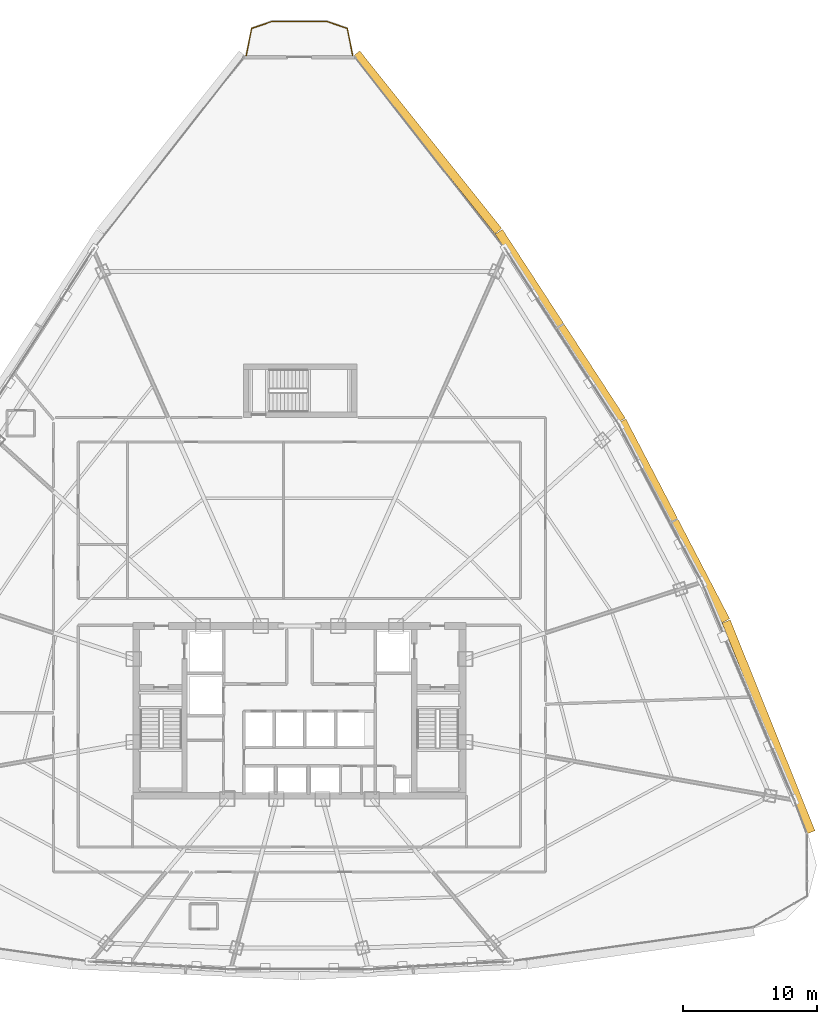
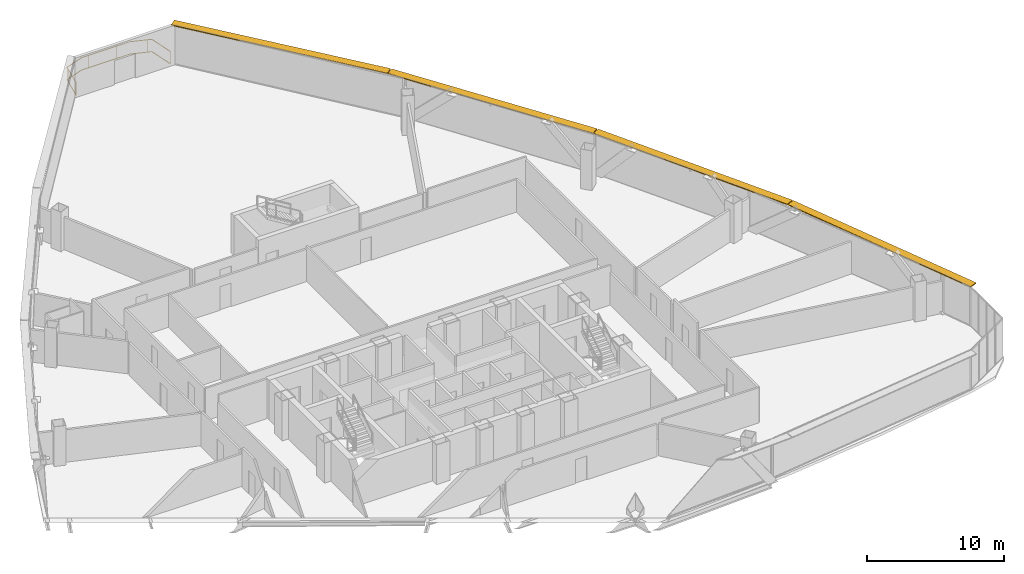
# One storey, part 37 of 37: 4 shading devices, 1 railing.
"""IFC4 building model written with IfcOpenShell, lengths in metres."""

from ifc_helpers import new_model, si_unit, direction, frame, origin, origin_2d, place, context, subcontext, project, spatial, rectangle, extrude, source, transform, mapped, material, layer, layer_set, type_object, element, save


model = new_model("IFC4")

# Units and contexts
model_context = context("Model", 3, precision=1e-05, world=origin(), true_north=direction((0.0, 1.0)))
body_context = subcontext(model_context, "Body", "Model", "MODEL_VIEW")
ifc_project = project(units=[si_unit("LENGTHUNIT", "METRE"), si_unit("AREAUNIT", "SQUARE_METRE"), si_unit("VOLUMEUNIT", "CUBIC_METRE"), si_unit("PLANEANGLEUNIT", "RADIAN"), si_unit("MASSUNIT", "GRAM", prefix="KILO"), si_unit("THERMODYNAMICTEMPERATUREUNIT", "KELVIN"), si_unit("POWERUNIT", "WATT")], contexts=[model_context])

# Site, building, storey
site_placement = place(None, origin())
site = spatial("IfcSite", under=ifc_project, at=site_placement, CompositionType="ELEMENT")
building_placement = place(site_placement, origin())
building = spatial("IfcBuilding", under=site, at=building_placement, Name="Yunzhuo Pagoda Commons", CompositionType="ELEMENT")
storey_placement = place(building_placement, frame((0.0, 0.0, 207.56005859375)))
storey = spatial("IfcBuildingStorey", under=building, at=storey_placement, Name="L52", CompositionType="ELEMENT", Elevation=207.56005859375)

# Railing
ifc_material = material(Name="Anodized aluminium 6063-T6", Category="aluminium")
railing_type = type_object("IfcRailingType", Name="RL-BAL1 Exterior Terrace & Balcony Balustrade 1150", PredefinedType="BALUSTRADE", material=ifc_material)
railing_placement = place(storey_placement, frame((51.979736328125, 82.88232421875, 0.0)))
element("IfcRailing", 1, at=railing_placement, inside=storey, type_object=railing_type, Name="L52 corner balcony balustrade V3", PredefinedType="BALUSTRADE", context=body_context, shape_type="SweptSolid", body=[
    extrude(rectangle(XDim=0.048095703125, YDim=0.048095703125, at=origin_2d()), frame((0.0, 0.0, 1.1259765625), z_axis=(-0.194200568098, 0.980961843983, 0.0), x_axis=(-0.980961843983, -0.194200568098, 0.0)), (0.0, 0.0, 1.0), 2.059326171875),
    extrude(rectangle(XDim=0.048095703125, YDim=0.048095703125, at=origin_2d()), frame((0.0, 0.0, 0.02392578125), z_axis=(-0.194200568098, 0.980961843983, 0.0), x_axis=(-0.980961843983, -0.194200568098, 0.0)), (0.0, 0.0, 1.0), 2.059326171875),
    extrude(rectangle(XDim=0.048095703125, YDim=0.048095703125, at=origin_2d()), frame((-0.39990234375, 2.02001953125, 1.1259765625), z_axis=(-0.946210819283, 0.323550746364, 0.0), x_axis=(-0.323550746364, -0.946210819283, 0.0)), (0.0, 0.0, 1.0), 1.63818359375),
    extrude(rectangle(XDim=0.048095703125, YDim=0.048095703125, at=origin_2d()), frame((-0.39990234375, 2.02001953125, 0.02392578125), z_axis=(-0.946210819283, 0.323550746364, 0.0), x_axis=(-0.323550746364, -0.946210819283, 0.0)), (0.0, 0.0, 1.0), 1.63818359375),
    extrude(rectangle(XDim=0.048095703125, YDim=0.048095703125, at=origin_2d()), frame((-1.949951171875, 2.550048828125, 1.1259765625), z_axis=(-1.0, 0.0, 0.0), x_axis=(0.0, -1.0, 0.0)), (0.0, 0.0, 1.0), 4.0595703125),
    extrude(rectangle(XDim=0.048095703125, YDim=0.048095703125, at=origin_2d()), frame((-1.949951171875, 2.550048828125, 0.02392578125), z_axis=(-1.0, 0.0, 0.0), x_axis=(0.0, -1.0, 0.0)), (0.0, 0.0, 1.0), 4.0595703125),
    extrude(rectangle(XDim=0.048095703125, YDim=0.048095703125, at=origin_2d()), frame((-6.009521484375, 2.550048828125, 1.1259765625), z_axis=(-0.946210819283, -0.323550746364, 0.0), x_axis=(0.323550746364, -0.946210819283, 0.0)), (0.0, 0.0, 1.0), 1.63818359375),
    extrude(rectangle(XDim=0.048095703125, YDim=0.048095703125, at=origin_2d()), frame((-6.009521484375, 2.550048828125, 0.02392578125), z_axis=(-0.946210819283, -0.323550746364, 0.0), x_axis=(0.323550746364, -0.946210819283, 0.0)), (0.0, 0.0, 1.0), 1.63818359375),
    extrude(rectangle(XDim=0.048095703125, YDim=0.048095703125, at=origin_2d()), frame((-7.5595703125, 2.02001953125, 1.1259765625), z_axis=(-0.194200568098, -0.980961843983, 0.0), x_axis=(0.980961843983, -0.194200568098, 0.0)), (0.0, 0.0, 1.0), 2.059326171875),
    extrude(rectangle(XDim=0.048095703125, YDim=0.048095703125, at=origin_2d()), frame((-7.5595703125, 2.02001953125, 0.02392578125), z_axis=(-0.194200568098, -0.980961843983, 0.0), x_axis=(0.980961843983, -0.194200568098, 0.0)), (0.0, 0.0, 1.0), 2.059326171875),
    extrude(rectangle(XDim=0.0419921875, YDim=0.0419921875, at=origin_2d()), origin(), (0.0, 0.0, 1.0), 1.101806640625),
    extrude(rectangle(XDim=0.0419921875, YDim=0.0419921875, at=origin_2d()), frame((-0.722412109375, 2.13037109375, 0.0)), (0.0, 0.0, 1.0), 1.101806640625),
    extrude(rectangle(XDim=0.0419921875, YDim=0.0419921875, at=origin_2d()), frame((-3.052490234375, 2.550048828125, 0.0)), (0.0, 0.0, 1.0), 1.101806640625),
    extrude(rectangle(XDim=0.0419921875, YDim=0.0419921875, at=origin_2d()), frame((-5.45263671875, 2.550048828125, 0.0)), (0.0, 0.0, 1.0), 1.101806640625),
    extrude(rectangle(XDim=0.0419921875, YDim=0.0419921875, at=origin_2d()), frame((-7.599365234375, 1.819091796875, 0.0)), (0.0, 0.0, 1.0), 1.101806640625),
    extrude(rectangle(XDim=0.0419921875, YDim=0.0419921875, at=origin_2d()), frame((-7.95947265625, 0.0, 0.0)), (0.0, 0.0, 1.0), 1.101806640625),
])

# Shading devices
ifc_layer = layer(ifc_material, 0.080078125)
ifc_layer_set = layer_set([ifc_layer], Name="Anodized aluminium 6063-T6")
shading_device_type = type_object("IfcShadingDeviceType", Name="SH-SUN1 Pagoda Horizontal Sunshade Eave 650", PredefinedType="USERDEFINED", material=ifc_layer_set)
shared_shape_1 = source(origin(), body_context, "Body", "SweptSolid", [
    extrude(rectangle(XDim=16.99755859375, YDim=0.64990234375, at=origin_2d()), origin(), (0.0, 0.0, 1.0), 0.080078125),
])
for number, where, z_axis, x_axis, name in (
    (2, (83.095458984375, 32.646728515625, 3.4599609375), (0.0, 0.0, 1.0), (-0.372987782576, 0.927836253899, 0.0), "L52 horizontal pagoda sunshade eave F2.1"),
    (3, (57.5673828125, 76.37890625, 3.4599609375), (0.0, 0.0, 1.0), (-0.624520471688, 0.781008438138, 0.0), "L52 horizontal pagoda sunshade eave F2.4"),
):
    element("IfcShadingDevice", number, at=place(storey_placement, frame(where, z_axis=z_axis, x_axis=x_axis)), inside=storey, type_object=shading_device_type, Name=name, ObjectType="SUNSHADE", PredefinedType="USERDEFINED", context=body_context, shape_type="MappedRepresentation", body=[
        mapped(shared_shape_1, transform((0.0, 0.0, 0.0), scale=1.0)),
    ])
shared_shape_2 = source(origin(), body_context, "Body", "SweptSolid", [
    extrude(rectangle(XDim=16.836181640625, YDim=0.64990234375, at=origin_2d()), origin(), (0.0, 0.0, 1.0), 0.080078125),
])
for number, where, z_axis, x_axis, name in (
    (4, (76.0166015625, 48.05908203125, 3.4599609375), (0.0, 0.0, 1.0), (-0.461206683033, 0.88729273384, 0.0), "L52 horizontal pagoda sunshade eave F2.2"),
    (5, (67.507080078125, 62.63671875, 3.4599609375), (0.0, 0.0, 1.0), (-0.545838756973, 0.837890238269, 0.0), "L52 horizontal pagoda sunshade eave F2.3"),
):
    element("IfcShadingDevice", number, at=place(storey_placement, frame(where, z_axis=z_axis, x_axis=x_axis)), inside=storey, type_object=shading_device_type, Name=name, ObjectType="SUNSHADE", PredefinedType="USERDEFINED", context=body_context, shape_type="MappedRepresentation", body=[
        mapped(shared_shape_2, transform((0.0, 0.0, 0.0), scale=1.0)),
    ])

save(model, "model.ifc")
